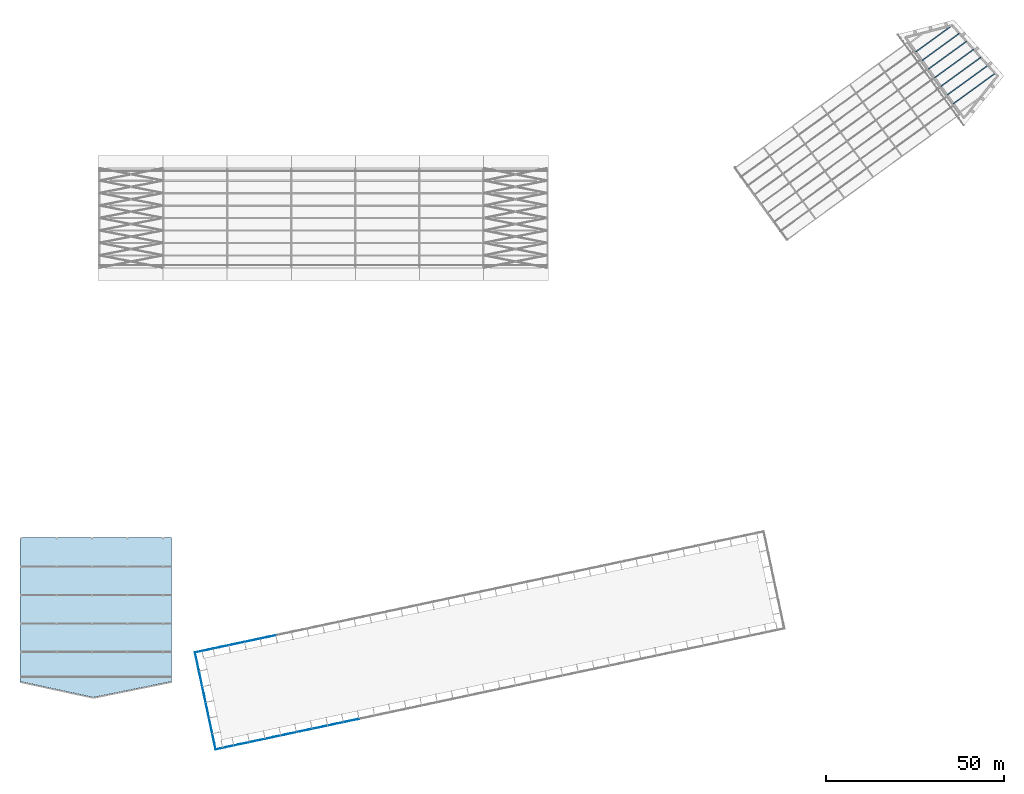
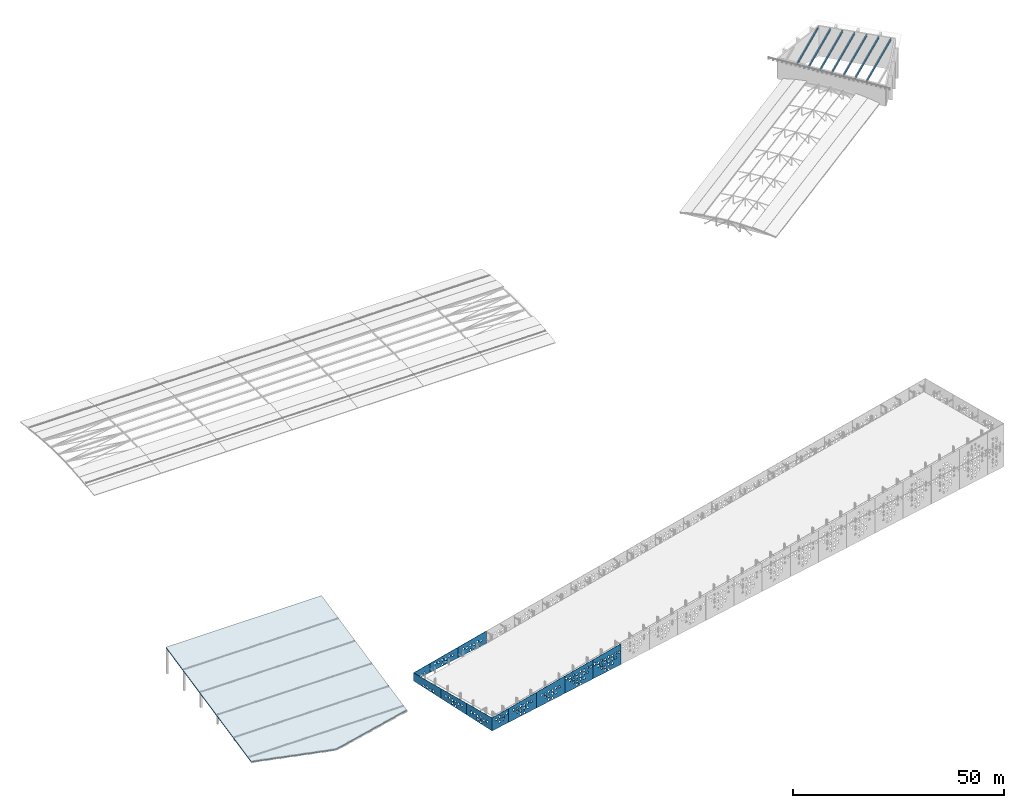
# One storey, part 23 of 41: 11 plates, 7 beams, 1 slab.
"""IFC4 building model written with IfcOpenShell, lengths in metres."""

from ifc_helpers import new_model, si_unit, direction, frame, origin, origin_2d, place, context, subcontext, project, spatial, polyline, i_section, outline, extrude, material, layer, layer_set, material_profile, profile_set, type_object, element, save


model = new_model("IFC4")

# Units and contexts
model_context = context("Model", 3, precision=1e-05, world=origin(), true_north=direction((0.0, 1.0)))
body_context = subcontext(model_context, "Body", "Model", "MODEL_VIEW")
ifc_project = project(units=[si_unit("LENGTHUNIT", "METRE"), si_unit("AREAUNIT", "SQUARE_METRE"), si_unit("VOLUMEUNIT", "CUBIC_METRE"), si_unit("PLANEANGLEUNIT", "RADIAN"), si_unit("MASSUNIT", "GRAM", prefix="KILO")], contexts=[model_context])

# Site, building, storey
site_placement = place(None, origin())
site = spatial("IfcSite", under=ifc_project, at=site_placement, CompositionType="ELEMENT")
building_placement = place(site_placement, origin())
building = spatial("IfcBuilding", under=site, at=building_placement, Name="Okhra Congress Centre", CompositionType="ELEMENT")
storey_placement = place(building_placement, frame((0.0, 0.0, 21.60009765625)))
storey = spatial("IfcBuildingStorey", under=building, at=storey_placement, Name="ROOF", CompositionType="ELEMENT", Elevation=21.60009765625)

# Beams
ifc_material_1 = material(Name="Steel S355J2", Category="steel")
ifc_material_profile = material_profile(ifc_material_1, i_section(OverallWidth=0.300048828125, OverallDepth=0.60009765625, WebThickness=0.015380859375, FlangeThickness=0.030029296875, FilletRadius=0.027099609375, at=origin_2d()), Name="HE 600 B")
ifc_profile_set = profile_set([ifc_material_profile], Name="Steel S355J2")
beam_type = type_object("IfcBeamType", Name="HE 600 B", PredefinedType="BEAM", material=ifc_profile_set)
beam_1_placement = place(storey_placement, frame((268.135498046875, 206.202880859375, 5.68701171875), z_axis=(0.790145887984, 0.574073289182, 0.214730841634), x_axis=(-0.587784379925, 0.809017628186, 0.0)))
element("IfcBeam", 1, at=beam_1_placement, inside=storey, type_object=beam_type, Name="Stage house rafter 2", PredefinedType="BEAM", context=body_context, shape_type="SweptSolid", body=[
    extrude(i_section(OverallWidth=0.300048828125, OverallDepth=0.60009765625, WebThickness=0.015380859375, FlangeThickness=0.030029296875, FilletRadius=0.027099609375, at=origin_2d()), origin(), (0.0, 0.0, 1.0), 14.738525390625),
])
beam_2_placement = place(storey_placement, frame((266.3720703125, 208.6298828125, 5.68701171875), z_axis=(0.790145428833, 0.574072307963, 0.214735154374), x_axis=(-0.587783945923, 0.809017943506, 0.0)))
element("IfcBeam", 2, at=beam_2_placement, inside=storey, type_object=beam_type, Name="Stage house rafter 3", PredefinedType="BEAM", context=body_context, shape_type="SweptSolid", body=[
    extrude(i_section(OverallWidth=0.300048828125, OverallDepth=0.60009765625, WebThickness=0.015380859375, FlangeThickness=0.030029296875, FilletRadius=0.027099609375, at=origin_2d()), origin(), (0.0, 0.0, 1.0), 14.415283203125),
])
beam_3_placement = place(storey_placement, frame((264.608642578125, 211.056884765625, 5.68701171875), z_axis=(0.790147888079, 0.574073417369, 0.214723139029), x_axis=(-0.587783492013, 0.80901827329, 0.0)))
element("IfcBeam", 3, at=beam_3_placement, inside=storey, type_object=beam_type, Name="Stage house rafter 4", PredefinedType="BEAM", context=body_context, shape_type="SweptSolid", body=[
    extrude(i_section(OverallWidth=0.300048828125, OverallDepth=0.60009765625, WebThickness=0.015380859375, FlangeThickness=0.030029296875, FilletRadius=0.027099609375, at=origin_2d()), origin(), (0.0, 0.0, 1.0), 14.092041015625),
])
beam_4_placement = place(storey_placement, frame((262.845458984375, 213.48388671875, 5.68701171875), z_axis=(0.790140793097, 0.574080436196, 0.21473048191), x_axis=(-0.587791650039, 0.809012346101, 0.0)))
element("IfcBeam", 4, at=beam_4_placement, inside=storey, type_object=beam_type, Name="Stage house rafter 5", PredefinedType="BEAM", context=body_context, shape_type="SweptSolid", body=[
    extrude(i_section(OverallWidth=0.300048828125, OverallDepth=0.60009765625, WebThickness=0.015380859375, FlangeThickness=0.030029296875, FilletRadius=0.027099609375, at=origin_2d()), origin(), (0.0, 0.0, 1.0), 13.7685546875),
])
beam_5_placement = place(storey_placement, frame((261.08203125, 215.9111328125, 5.68701171875), z_axis=(0.790141593333, 0.574075618725, 0.214740416481), x_axis=(-0.587788032054, 0.809014974753, 0.0)))
element("IfcBeam", 5, at=beam_5_placement, inside=storey, type_object=beam_type, Name="Stage house rafter 6", PredefinedType="BEAM", context=body_context, shape_type="SweptSolid", body=[
    extrude(i_section(OverallWidth=0.300048828125, OverallDepth=0.60009765625, WebThickness=0.015380859375, FlangeThickness=0.030029296875, FilletRadius=0.027099609375, at=origin_2d()), origin(), (0.0, 0.0, 1.0), 13.445068359375),
])
beam_6_placement = place(storey_placement, frame((259.318603515625, 218.338134765625, 5.68701171875), z_axis=(0.79014413997, 0.574076891749, 0.214727642446), x_axis=(-0.587787645231, 0.809015255798, 0.0)))
element("IfcBeam", 6, at=beam_6_placement, inside=storey, type_object=beam_type, Name="Stage house rafter 7", PredefinedType="BEAM", context=body_context, shape_type="SweptSolid", body=[
    extrude(i_section(OverallWidth=0.300048828125, OverallDepth=0.60009765625, WebThickness=0.015380859375, FlangeThickness=0.030029296875, FilletRadius=0.027099609375, at=origin_2d()), origin(), (0.0, 0.0, 1.0), 13.121826171875),
])
beam_7_placement = place(storey_placement, frame((257.555419921875, 220.76513671875, 5.68701171875), z_axis=(0.7901364124, 0.574084530339, 0.214735655691), x_axis=(-0.587796526564, 0.809008803017, 0.0)))
element("IfcBeam", 7, at=beam_7_placement, inside=storey, type_object=beam_type, Name="Stage house rafter 8", PredefinedType="BEAM", context=body_context, shape_type="SweptSolid", body=[
    extrude(i_section(OverallWidth=0.300048828125, OverallDepth=0.60009765625, WebThickness=0.015380859375, FlangeThickness=0.030029296875, FilletRadius=0.027099609375, at=origin_2d()), origin(), (0.0, 0.0, 1.0), 12.798583984375),
])

# Slab
ifc_material_2 = material(Name="Concrete C30/37", Category="concrete")
ifc_layer_1 = layer(ifc_material_2, 0.300048828125)
ifc_layer_set_1 = layer_set([ifc_layer_1], Name="RC tilted roof slab 300 C30/37")
slab_type = type_object("IfcSlabType", Name="RC tilted roof slab 300 C30/37", PredefinedType="ROOF", material=ifc_layer_set_1)
slab_placement = place(storey_placement, frame((5.77490234375, 43.77490234375, -1.0), z_axis=(0.0, -0.207910641884, 0.978147823691), x_axis=(0.976272250376, -0.211814728197, -0.045022372931)))
element("IfcSlab", 8, at=slab_placement, inside=storey, type_object=slab_type, Name="Tilted roof slab falling to the court", PredefinedType="ROOF", context=body_context, shape_type="SweptSolid", body=[
    extrude(outline(polyline([(0.0, 0.0), (21.126279060019122, 0.0), (41.61360467228461, 9.23030504256566), (32.65855966884867, 49.602936377826325), (-8.955045003435943, 40.372631335260664), (0.0, 0.0)])), origin(), (0.0, 0.0, -1.0), 0.300048828125),
])

# Plates
ifc_material_3 = material(Name="Fired clay terracotta rainscreen panel, deep oxide-red glaze, non-combustible", Category="masonry")
ifc_layer_2 = layer(ifc_material_3, 0.080078125)
ifc_layer_set_2 = layer_set([ifc_layer_2], Name="Terracotta screen panel 5230 sloped top")
plate_type_1 = type_object("IfcPlateType", Name="Terracotta screen panel 5230 sloped top", PredefinedType="SHEET", material=ifc_layer_set_2)
plate_1_placement = place(storey_placement, frame((60.708251953125, 24.674560546875, 0.2099609375), z_axis=(0.0, 0.0, 1.0), x_axis=(0.978146748157, 0.207915701837, 0.0)))
element("IfcPlate", 9, at=plate_1_placement, inside=storey, type_object=plate_type_1, Name="Screen panel S1 Parapet", PredefinedType="SHEET", context=body_context, shape_type="SweptSolid", body=[
    extrude(outline(polyline([(0.0, 0.0), (5.22998046875, 0.0), (5.22998046875, 4.056396484375), (0.0, 3.776611328125), (0.0, 0.0)]), holes=[polyline([(2.04638671875, 1.303955078125), (2.8134765625, 1.303955078125), (2.429931640625, 2.05615234375), (2.04638671875, 1.303955078125)]), polyline([(3.16650390625, 2.05615234375), (3.550048828125, 1.303955078125), (3.93359375, 2.05615234375), (3.16650390625, 2.05615234375)]), polyline([(0.926513671875, 2.423828125), (1.693603515625, 2.423828125), (1.31005859375, 3.176025390625), (0.926513671875, 2.423828125)]), polyline([(2.04638671875, 3.176025390625), (2.429931640625, 2.423828125), (2.8134765625, 3.176025390625), (2.04638671875, 3.176025390625)]), polyline([(3.16650390625, 2.423828125), (3.93359375, 2.423828125), (3.550048828125, 3.176025390625), (3.16650390625, 2.423828125)]), polyline([(4.286376953125, 3.176025390625), (4.669921875, 2.423828125), (5.0537109375, 3.176025390625), (4.286376953125, 3.176025390625)])]), frame((0.0, 0.0400390625, 0.0), z_axis=(0.0, -1.0, 0.0), x_axis=(1.0, 0.0, 0.0)), (0.0, 0.0, 1.0), 0.080078125),
])
plate_2_placement = place(storey_placement, frame((60.033447265625, 53.00341796875, 0.2099609375), z_axis=(0.0, 0.0, 1.0), x_axis=(-0.978146748157, -0.207915701837, 0.0)))
element("IfcPlate", 10, at=plate_2_placement, inside=storey, type_object=plate_type_1, Name="Screen panel N19 Parapet", PredefinedType="SHEET", context=body_context, shape_type="SweptSolid", body=[
    extrude(outline(polyline([(0.0, 0.0), (5.22998046875, 0.0), (5.22998046875, 2.31689453125), (0.0, 2.596923828125), (0.0, 0.0)]), holes=[polyline([(1.29638671875, 0.93603515625), (1.679931640625, 0.183837890625), (2.0634765625, 0.93603515625), (1.29638671875, 0.93603515625)]), polyline([(2.41650390625, 0.183837890625), (3.18359375, 0.183837890625), (2.800048828125, 0.93603515625), (2.41650390625, 0.183837890625)])]), frame((0.0, 0.0400390625, 0.0), z_axis=(0.0, -1.0, 0.0), x_axis=(1.0, 0.0, 0.0)), (0.0, 0.0, 1.0), 0.080078125),
])
ifc_layer_3 = layer(ifc_material_3, 0.080078125)
ifc_layer_set_3 = layer_set([ifc_layer_3], Name="Terracotta screen panel 8970 sloped top")
plate_type_2 = type_object("IfcPlateType", Name="Terracotta screen panel 8970 sloped top", PredefinedType="SHEET", material=ifc_layer_set_3)
plate_3_placement = place(storey_placement, frame((58.8740234375, 33.49609375, 0.2099609375), z_axis=(0.0, 0.0, 1.0), x_axis=(0.207915396115, -0.978146813141, 0.0)))
element("IfcPlate", 11, at=plate_3_placement, inside=storey, type_object=plate_type_2, Name="Screen panel W3 Parapet", PredefinedType="SHEET", context=body_context, shape_type="SweptSolid", body=[
    extrude(outline(polyline([(0.0, 0.0), (8.969970703125, 0.0), (8.969970703125, 3.776611328125), (0.0, 3.306396484375), (0.0, 0.0)]), holes=[polyline([(3.536376953125, 0.93603515625), (3.919921875, 0.183837890625), (4.3037109375, 0.93603515625), (3.536376953125, 0.93603515625)]), polyline([(4.656494140625, 0.183837890625), (5.423583984375, 0.183837890625), (5.0400390625, 0.93603515625), (4.656494140625, 0.183837890625)]), polyline([(1.29638671875, 1.303955078125), (2.0634765625, 1.303955078125), (1.679931640625, 2.05615234375), (1.29638671875, 1.303955078125)]), polyline([(2.41650390625, 2.05615234375), (2.800048828125, 1.303955078125), (3.18359375, 2.05615234375), (2.41650390625, 2.05615234375)]), polyline([(3.536376953125, 1.303955078125), (4.3037109375, 1.303955078125), (3.919921875, 2.05615234375), (3.536376953125, 1.303955078125)]), polyline([(4.656494140625, 2.05615234375), (5.0400390625, 1.303955078125), (5.423583984375, 2.05615234375), (4.656494140625, 2.05615234375)]), polyline([(5.7763671875, 1.303955078125), (6.543701171875, 1.303955078125), (6.159912109375, 2.05615234375), (5.7763671875, 1.303955078125)]), polyline([(6.896484375, 2.05615234375), (7.280029296875, 1.303955078125), (7.66357421875, 2.05615234375), (6.896484375, 2.05615234375)])]), frame((0.0, 0.0400390625, 0.0), z_axis=(0.0, -1.0, 0.0), x_axis=(1.0, 0.0, 0.0)), (0.0, 0.0, 1.0), 0.080078125),
])
ifc_layer_4 = layer(ifc_material_3, 0.080078125)
ifc_layer_set_4 = layer_set([ifc_layer_4], Name="Terracotta screen panel 8980 sloped top")
plate_type_3 = type_object("IfcPlateType", Name="Terracotta screen panel 8980 sloped top", PredefinedType="SHEET", material=ifc_layer_set_4)
plate_4_placement = place(storey_placement, frame((65.843505859375, 25.76611328125, 0.2099609375), z_axis=(0.0, 0.0, 1.0), x_axis=(0.978144061878, 0.207928339131, 0.0)))
element("IfcPlate", 12, at=plate_4_placement, inside=storey, type_object=plate_type_3, Name="Screen panel S2 Parapet", PredefinedType="SHEET", context=body_context, shape_type="SweptSolid", body=[
    extrude(outline(polyline([(0.0, 0.0), (8.97998046875, 0.0), (8.97998046875, 4.537841796875), (0.0, 4.057373046875), (0.0, 0.0)]), holes=[polyline([(3.536376953125, 0.93603515625), (3.919921875, 0.183837890625), (4.3037109375, 0.93603515625), (3.536376953125, 0.93603515625)]), polyline([(4.656494140625, 0.183837890625), (5.423583984375, 0.183837890625), (5.0400390625, 0.93603515625), (4.656494140625, 0.183837890625)]), polyline([(2.41650390625, 2.05615234375), (2.800048828125, 1.303955078125), (3.18359375, 2.05615234375), (2.41650390625, 2.05615234375)]), polyline([(3.536376953125, 1.303955078125), (4.3037109375, 1.303955078125), (3.919921875, 2.05615234375), (3.536376953125, 1.303955078125)]), polyline([(4.656494140625, 2.05615234375), (5.0400390625, 1.303955078125), (5.423583984375, 2.05615234375), (4.656494140625, 2.05615234375)]), polyline([(5.7763671875, 1.303955078125), (6.543701171875, 1.303955078125), (6.159912109375, 2.05615234375), (5.7763671875, 1.303955078125)]), polyline([(1.29638671875, 3.176025390625), (1.679931640625, 2.423828125), (2.0634765625, 3.176025390625), (1.29638671875, 3.176025390625)]), polyline([(2.41650390625, 2.423828125), (3.18359375, 2.423828125), (2.800048828125, 3.176025390625), (2.41650390625, 2.423828125)]), polyline([(3.536376953125, 3.176025390625), (3.919921875, 2.423828125), (4.3037109375, 3.176025390625), (3.536376953125, 3.176025390625)]), polyline([(4.656494140625, 2.423828125), (5.423583984375, 2.423828125), (5.0400390625, 3.176025390625), (4.656494140625, 2.423828125)]), polyline([(5.7763671875, 3.176025390625), (6.159912109375, 2.423828125), (6.543701171875, 3.176025390625), (5.7763671875, 3.176025390625)]), polyline([(6.896484375, 2.423828125), (7.66357421875, 2.423828125), (7.280029296875, 3.176025390625), (6.896484375, 2.423828125)])]), frame((0.0, 0.0400390625, 0.0), z_axis=(0.0, -1.0, 0.0), x_axis=(1.0, 0.0, 0.0)), (0.0, 0.0, 1.0), 0.080078125),
])
plate_5_placement = place(storey_placement, frame((74.646728515625, 27.637451171875, 0.2099609375), z_axis=(0.0, 0.0, 1.0), x_axis=(0.978150766104, 0.207896798366, 0.0)))
element("IfcPlate", 13, at=plate_5_placement, inside=storey, type_object=plate_type_3, Name="Screen panel S3 Parapet", PredefinedType="SHEET", context=body_context, shape_type="SweptSolid", body=[
    extrude(outline(polyline([(0.0, 0.0), (8.97998046875, 0.0), (8.97998046875, 5.01953125), (0.0, 4.5390625), (0.0, 0.0)]), holes=[polyline([(3.536376953125, 0.93603515625), (3.919921875, 0.183837890625), (4.3037109375, 0.93603515625), (3.536376953125, 0.93603515625)]), polyline([(4.656494140625, 0.183837890625), (5.423583984375, 0.183837890625), (5.0400390625, 0.93603515625), (4.656494140625, 0.183837890625)]), polyline([(2.41650390625, 2.05615234375), (2.800048828125, 1.303955078125), (3.18359375, 2.05615234375), (2.41650390625, 2.05615234375)]), polyline([(3.536376953125, 1.303955078125), (4.3037109375, 1.303955078125), (3.919921875, 2.05615234375), (3.536376953125, 1.303955078125)]), polyline([(4.656494140625, 2.05615234375), (5.0400390625, 1.303955078125), (5.423583984375, 2.05615234375), (4.656494140625, 2.05615234375)]), polyline([(5.7763671875, 1.303955078125), (6.543701171875, 1.303955078125), (6.159912109375, 2.05615234375), (5.7763671875, 1.303955078125)]), polyline([(1.29638671875, 3.176025390625), (1.679931640625, 2.423828125), (2.0634765625, 3.176025390625), (1.29638671875, 3.176025390625)]), polyline([(2.41650390625, 2.423828125), (3.18359375, 2.423828125), (2.800048828125, 3.176025390625), (2.41650390625, 2.423828125)]), polyline([(3.536376953125, 3.176025390625), (3.919921875, 2.423828125), (4.3037109375, 3.176025390625), (3.536376953125, 3.176025390625)]), polyline([(4.656494140625, 2.423828125), (5.423583984375, 2.423828125), (5.0400390625, 3.176025390625), (4.656494140625, 2.423828125)]), polyline([(5.7763671875, 3.176025390625), (6.159912109375, 2.423828125), (6.543701171875, 3.176025390625), (5.7763671875, 3.176025390625)]), polyline([(6.896484375, 2.423828125), (7.66357421875, 2.423828125), (7.280029296875, 3.176025390625), (6.896484375, 2.423828125)])]), frame((0.0, 0.0400390625, 0.0), z_axis=(0.0, -1.0, 0.0), x_axis=(1.0, 0.0, 0.0)), (0.0, 0.0, 1.0), 0.080078125),
])
plate_6_placement = place(storey_placement, frame((83.4501953125, 29.508544921875, 0.2099609375), z_axis=(0.0, 0.0, 1.0), x_axis=(0.978144061878, 0.207928339131, 0.0)))
element("IfcPlate", 14, at=plate_6_placement, inside=storey, type_object=plate_type_3, Name="Screen panel S4 Parapet", PredefinedType="SHEET", context=body_context, shape_type="SweptSolid", body=[
    extrude(outline(polyline([(0.0, 0.0), (8.97998046875, 0.0), (8.97998046875, 5.5009765625), (0.0, 5.0205078125), (0.0, 0.0)]), holes=[polyline([(3.536376953125, 0.93603515625), (3.919921875, 0.183837890625), (4.3037109375, 0.93603515625), (3.536376953125, 0.93603515625)]), polyline([(4.656494140625, 0.183837890625), (5.423583984375, 0.183837890625), (5.0400390625, 0.93603515625), (4.656494140625, 0.183837890625)]), polyline([(2.41650390625, 2.05615234375), (2.800048828125, 1.303955078125), (3.18359375, 2.05615234375), (2.41650390625, 2.05615234375)]), polyline([(3.536376953125, 1.303955078125), (4.3037109375, 1.303955078125), (3.919921875, 2.05615234375), (3.536376953125, 1.303955078125)]), polyline([(4.656494140625, 2.05615234375), (5.0400390625, 1.303955078125), (5.423583984375, 2.05615234375), (4.656494140625, 2.05615234375)]), polyline([(5.7763671875, 1.303955078125), (6.543701171875, 1.303955078125), (6.159912109375, 2.05615234375), (5.7763671875, 1.303955078125)]), polyline([(1.29638671875, 3.176025390625), (1.679931640625, 2.423828125), (2.0634765625, 3.176025390625), (1.29638671875, 3.176025390625)]), polyline([(2.41650390625, 2.423828125), (3.18359375, 2.423828125), (2.800048828125, 3.176025390625), (2.41650390625, 2.423828125)]), polyline([(3.536376953125, 3.176025390625), (3.919921875, 2.423828125), (4.3037109375, 3.176025390625), (3.536376953125, 3.176025390625)]), polyline([(4.656494140625, 2.423828125), (5.423583984375, 2.423828125), (5.0400390625, 3.176025390625), (4.656494140625, 2.423828125)]), polyline([(5.7763671875, 3.176025390625), (6.159912109375, 2.423828125), (6.543701171875, 3.176025390625), (5.7763671875, 3.176025390625)]), polyline([(6.896484375, 2.423828125), (7.66357421875, 2.423828125), (7.280029296875, 3.176025390625), (6.896484375, 2.423828125)]), polyline([(0.176513671875, 4.296142578125), (0.56005859375, 3.5439453125), (0.943603515625, 4.296142578125), (0.176513671875, 4.296142578125)]), polyline([(1.29638671875, 3.5439453125), (2.0634765625, 3.5439453125), (1.679931640625, 4.296142578125), (1.29638671875, 3.5439453125)]), polyline([(2.41650390625, 4.296142578125), (2.800048828125, 3.5439453125), (3.18359375, 4.296142578125), (2.41650390625, 4.296142578125)]), polyline([(3.536376953125, 3.5439453125), (4.3037109375, 3.5439453125), (3.919921875, 4.296142578125), (3.536376953125, 3.5439453125)]), polyline([(4.656494140625, 4.296142578125), (5.0400390625, 3.5439453125), (5.423583984375, 4.296142578125), (4.656494140625, 4.296142578125)]), polyline([(5.7763671875, 3.5439453125), (6.543701171875, 3.5439453125), (6.159912109375, 4.296142578125), (5.7763671875, 3.5439453125)]), polyline([(6.896484375, 4.296142578125), (7.280029296875, 3.5439453125), (7.66357421875, 4.296142578125), (6.896484375, 4.296142578125)]), polyline([(8.016357421875, 3.5439453125), (8.78369140625, 3.5439453125), (8.39990234375, 4.296142578125), (8.016357421875, 3.5439453125)])]), frame((0.0, 0.0400390625, 0.0), z_axis=(0.0, -1.0, 0.0), x_axis=(1.0, 0.0, 0.0)), (0.0, 0.0, 1.0), 0.080078125),
])
plate_7_placement = place(storey_placement, frame((92.25341796875, 31.3798828125, 0.2099609375), z_axis=(0.0, 0.0, 1.0), x_axis=(0.978149591018, 0.207902327047, 0.0)))
element("IfcPlate", 15, at=plate_7_placement, inside=storey, type_object=plate_type_3, Name="Screen panel S5 Parapet", PredefinedType="SHEET", context=body_context, shape_type="SweptSolid", body=[
    extrude(outline(polyline([(0.0, 0.0), (8.97998046875, 0.0), (8.97998046875, 5.982666015625), (0.0, 5.502197265625), (0.0, 0.0)]), holes=[polyline([(3.536376953125, 0.93603515625), (3.919921875, 0.183837890625), (4.3037109375, 0.93603515625), (3.536376953125, 0.93603515625)]), polyline([(4.656494140625, 0.183837890625), (5.423583984375, 0.183837890625), (5.0400390625, 0.93603515625), (4.656494140625, 0.183837890625)]), polyline([(2.41650390625, 2.05615234375), (2.800048828125, 1.303955078125), (3.18359375, 2.05615234375), (2.41650390625, 2.05615234375)]), polyline([(3.536376953125, 1.303955078125), (4.3037109375, 1.303955078125), (3.919921875, 2.05615234375), (3.536376953125, 1.303955078125)]), polyline([(4.656494140625, 2.05615234375), (5.0400390625, 1.303955078125), (5.423583984375, 2.05615234375), (4.656494140625, 2.05615234375)]), polyline([(5.7763671875, 1.303955078125), (6.543701171875, 1.303955078125), (6.159912109375, 2.05615234375), (5.7763671875, 1.303955078125)]), polyline([(1.29638671875, 3.176025390625), (1.679931640625, 2.423828125), (2.0634765625, 3.176025390625), (1.29638671875, 3.176025390625)]), polyline([(2.41650390625, 2.423828125), (3.18359375, 2.423828125), (2.800048828125, 3.176025390625), (2.41650390625, 2.423828125)]), polyline([(3.536376953125, 3.176025390625), (3.919921875, 2.423828125), (4.3037109375, 3.176025390625), (3.536376953125, 3.176025390625)]), polyline([(4.656494140625, 2.423828125), (5.423583984375, 2.423828125), (5.0400390625, 3.176025390625), (4.656494140625, 2.423828125)]), polyline([(5.7763671875, 3.176025390625), (6.159912109375, 2.423828125), (6.543701171875, 3.176025390625), (5.7763671875, 3.176025390625)]), polyline([(6.896484375, 2.423828125), (7.66357421875, 2.423828125), (7.280029296875, 3.176025390625), (6.896484375, 2.423828125)]), polyline([(0.176513671875, 4.296142578125), (0.56005859375, 3.5439453125), (0.943603515625, 4.296142578125), (0.176513671875, 4.296142578125)]), polyline([(1.29638671875, 3.5439453125), (2.0634765625, 3.5439453125), (1.679931640625, 4.296142578125), (1.29638671875, 3.5439453125)]), polyline([(2.41650390625, 4.296142578125), (2.800048828125, 3.5439453125), (3.18359375, 4.296142578125), (2.41650390625, 4.296142578125)]), polyline([(3.536376953125, 3.5439453125), (4.3037109375, 3.5439453125), (3.919921875, 4.296142578125), (3.536376953125, 3.5439453125)]), polyline([(4.656494140625, 4.296142578125), (5.0400390625, 3.5439453125), (5.423583984375, 4.296142578125), (4.656494140625, 4.296142578125)]), polyline([(5.7763671875, 3.5439453125), (6.543701171875, 3.5439453125), (6.159912109375, 4.296142578125), (5.7763671875, 3.5439453125)]), polyline([(6.896484375, 4.296142578125), (7.280029296875, 3.5439453125), (7.66357421875, 4.296142578125), (6.896484375, 4.296142578125)]), polyline([(8.016357421875, 3.5439453125), (8.78369140625, 3.5439453125), (8.39990234375, 4.296142578125), (8.016357421875, 3.5439453125)])]), frame((0.0, 0.0400390625, 0.0), z_axis=(0.0, -1.0, 0.0), x_axis=(1.0, 0.0, 0.0)), (0.0, 0.0, 1.0), 0.080078125),
])
plate_8_placement = place(storey_placement, frame((77.64013671875, 56.745849609375, 0.2099609375), z_axis=(0.0, 0.0, 1.0), x_axis=(-0.978149591018, -0.207902327047, 0.0)))
element("IfcPlate", 16, at=plate_8_placement, inside=storey, type_object=plate_type_3, Name="Screen panel N17 Parapet", PredefinedType="SHEET", context=body_context, shape_type="SweptSolid", body=[
    extrude(outline(polyline([(0.0, 0.0), (8.97998046875, 0.0), (8.97998046875, 3.079345703125), (0.0, 3.559814453125), (0.0, 0.0)]), holes=[polyline([(3.536376953125, 0.93603515625), (3.919921875, 0.183837890625), (4.3037109375, 0.93603515625), (3.536376953125, 0.93603515625)]), polyline([(4.656494140625, 0.183837890625), (5.423583984375, 0.183837890625), (5.0400390625, 0.93603515625), (4.656494140625, 0.183837890625)]), polyline([(1.29638671875, 1.303955078125), (2.0634765625, 1.303955078125), (1.679931640625, 2.05615234375), (1.29638671875, 1.303955078125)]), polyline([(2.41650390625, 2.05615234375), (2.800048828125, 1.303955078125), (3.18359375, 2.05615234375), (2.41650390625, 2.05615234375)]), polyline([(3.536376953125, 1.303955078125), (4.3037109375, 1.303955078125), (3.919921875, 2.05615234375), (3.536376953125, 1.303955078125)]), polyline([(4.656494140625, 2.05615234375), (5.0400390625, 1.303955078125), (5.423583984375, 2.05615234375), (4.656494140625, 2.05615234375)]), polyline([(5.7763671875, 1.303955078125), (6.543701171875, 1.303955078125), (6.159912109375, 2.05615234375), (5.7763671875, 1.303955078125)]), polyline([(6.896484375, 2.05615234375), (7.280029296875, 1.303955078125), (7.66357421875, 2.05615234375), (6.896484375, 2.05615234375)])]), frame((0.0, 0.0400390625, 0.0), z_axis=(0.0, -1.0, 0.0), x_axis=(1.0, 0.0, 0.0)), (0.0, 0.0, 1.0), 0.080078125),
])
plate_9_placement = place(storey_placement, frame((68.8369140625, 54.87451171875, 0.2099609375), z_axis=(0.0, 0.0, 1.0), x_axis=(-0.978149591018, -0.207902327047, 0.0)))
element("IfcPlate", 17, at=plate_9_placement, inside=storey, type_object=plate_type_3, Name="Screen panel N18 Parapet", PredefinedType="SHEET", context=body_context, shape_type="SweptSolid", body=[
    extrude(outline(polyline([(0.0, 0.0), (8.97998046875, 0.0), (8.97998046875, 2.597900390625), (0.0, 3.078369140625), (0.0, 0.0)]), holes=[polyline([(3.536376953125, 0.93603515625), (3.919921875, 0.183837890625), (4.3037109375, 0.93603515625), (3.536376953125, 0.93603515625)]), polyline([(4.656494140625, 0.183837890625), (5.423583984375, 0.183837890625), (5.0400390625, 0.93603515625), (4.656494140625, 0.183837890625)]), polyline([(1.29638671875, 1.303955078125), (2.0634765625, 1.303955078125), (1.679931640625, 2.05615234375), (1.29638671875, 1.303955078125)]), polyline([(2.41650390625, 2.05615234375), (2.800048828125, 1.303955078125), (3.18359375, 2.05615234375), (2.41650390625, 2.05615234375)]), polyline([(3.536376953125, 1.303955078125), (4.3037109375, 1.303955078125), (3.919921875, 2.05615234375), (3.536376953125, 1.303955078125)]), polyline([(4.656494140625, 2.05615234375), (5.0400390625, 1.303955078125), (5.423583984375, 2.05615234375), (4.656494140625, 2.05615234375)]), polyline([(5.7763671875, 1.303955078125), (6.543701171875, 1.303955078125), (6.159912109375, 2.05615234375), (5.7763671875, 1.303955078125)]), polyline([(6.896484375, 2.05615234375), (7.280029296875, 1.303955078125), (7.66357421875, 2.05615234375), (6.896484375, 2.05615234375)])]), frame((0.0, 0.0400390625, 0.0), z_axis=(0.0, -1.0, 0.0), x_axis=(1.0, 0.0, 0.0)), (0.0, 0.0, 1.0), 0.080078125),
])
plate_10_placement = place(storey_placement, frame((57.0029296875, 42.29931640625, 0.2099609375), z_axis=(0.0, 0.0, 1.0), x_axis=(0.207902327047, -0.978149591018, 0.0)))
element("IfcPlate", 18, at=plate_10_placement, inside=storey, type_object=plate_type_3, Name="Screen panel W2 Parapet", PredefinedType="SHEET", context=body_context, shape_type="SweptSolid", body=[
    extrude(outline(polyline([(0.0, 0.0), (8.97998046875, 0.0), (8.97998046875, 3.305419921875), (0.0, 2.8349609375), (0.0, 0.0)]), holes=[polyline([(3.536376953125, 0.93603515625), (3.919921875, 0.183837890625), (4.3037109375, 0.93603515625), (3.536376953125, 0.93603515625)]), polyline([(4.656494140625, 0.183837890625), (5.423583984375, 0.183837890625), (5.0400390625, 0.93603515625), (4.656494140625, 0.183837890625)]), polyline([(1.29638671875, 1.303955078125), (2.0634765625, 1.303955078125), (1.679931640625, 2.05615234375), (1.29638671875, 1.303955078125)]), polyline([(2.41650390625, 2.05615234375), (2.800048828125, 1.303955078125), (3.18359375, 2.05615234375), (2.41650390625, 2.05615234375)]), polyline([(3.536376953125, 1.303955078125), (4.3037109375, 1.303955078125), (3.919921875, 2.05615234375), (3.536376953125, 1.303955078125)]), polyline([(4.656494140625, 2.05615234375), (5.0400390625, 1.303955078125), (5.423583984375, 2.05615234375), (4.656494140625, 2.05615234375)]), polyline([(5.7763671875, 1.303955078125), (6.543701171875, 1.303955078125), (6.159912109375, 2.05615234375), (5.7763671875, 1.303955078125)]), polyline([(6.896484375, 2.05615234375), (7.280029296875, 1.303955078125), (7.66357421875, 2.05615234375), (6.896484375, 2.05615234375)])]), frame((0.0, 0.0400390625, 0.0), z_axis=(0.0, -1.0, 0.0), x_axis=(1.0, 0.0, 0.0)), (0.0, 0.0, 1.0), 0.080078125),
])
ifc_layer_5 = layer(ifc_material_3, 0.080078125)
ifc_layer_set_5 = layer_set([ifc_layer_5], Name="Terracotta screen panel 9780 sloped top")
plate_type_4 = type_object("IfcPlateType", Name="Terracotta screen panel 9780 sloped top", PredefinedType="SHEET", material=ifc_layer_set_5)
plate_11_placement = place(storey_placement, frame((54.96533203125, 51.88525390625, 0.2099609375), z_axis=(0.0, 0.0, 1.0), x_axis=(0.207916077978, -0.978146668204, 0.0)))
element("IfcPlate", 19, at=plate_11_placement, inside=storey, type_object=plate_type_4, Name="Screen panel W1 Parapet", PredefinedType="SHEET", context=body_context, shape_type="SweptSolid", body=[
    extrude(outline(polyline([(0.0, 0.0), (9.780029296875, 0.0), (9.780029296875, 2.833740234375), (0.0, 2.3212890625), (0.0, 0.0)]), holes=[polyline([(3.236328125, 0.183837890625), (4.003662109375, 0.183837890625), (3.6201171875, 0.93603515625), (3.236328125, 0.183837890625)]), polyline([(4.3564453125, 0.93603515625), (4.739990234375, 0.183837890625), (5.12353515625, 0.93603515625), (4.3564453125, 0.93603515625)]), polyline([(5.476318359375, 0.183837890625), (6.24365234375, 0.183837890625), (5.860107421875, 0.93603515625), (5.476318359375, 0.183837890625)]), polyline([(6.596435546875, 0.93603515625), (6.97998046875, 0.183837890625), (7.363525390625, 0.93603515625), (6.596435546875, 0.93603515625)])]), frame((0.0, 0.0400390625, 0.0), z_axis=(0.0, -1.0, 0.0), x_axis=(1.0, 0.0, 0.0)), (0.0, 0.0, 1.0), 0.080078125),
])

save(model, "model.ifc")
